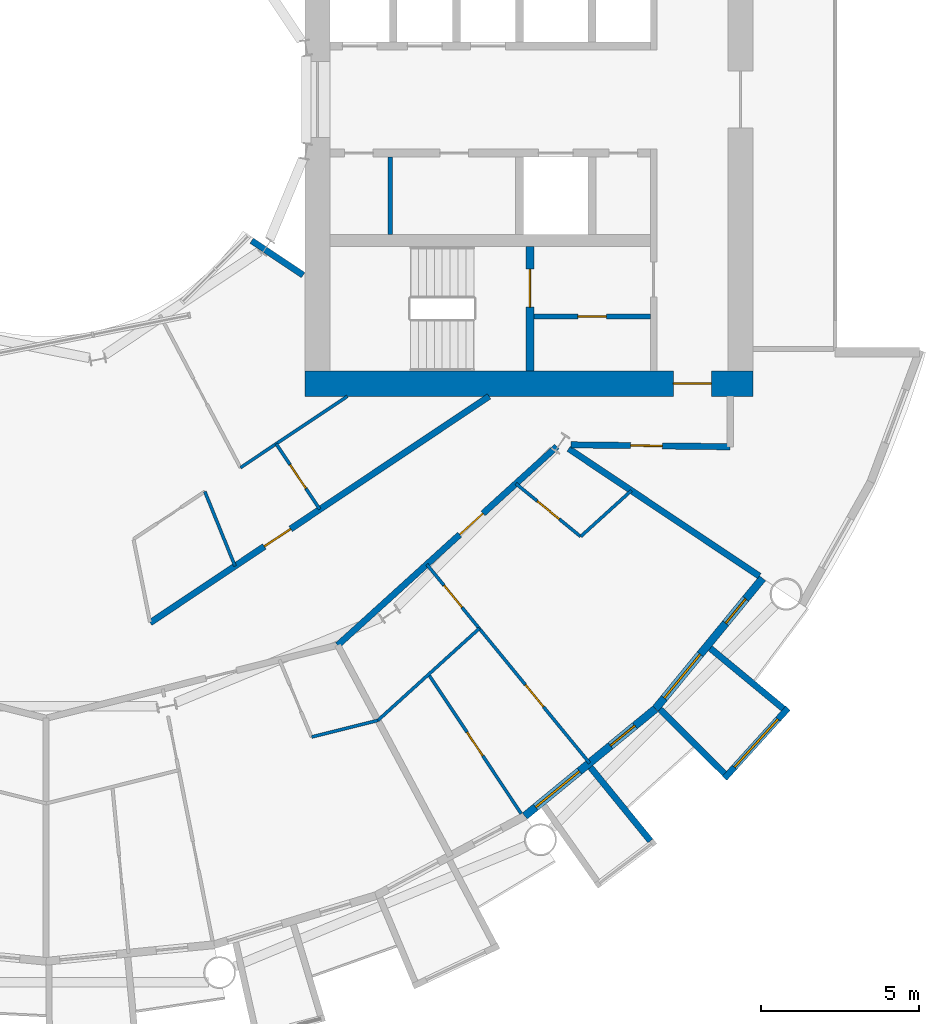
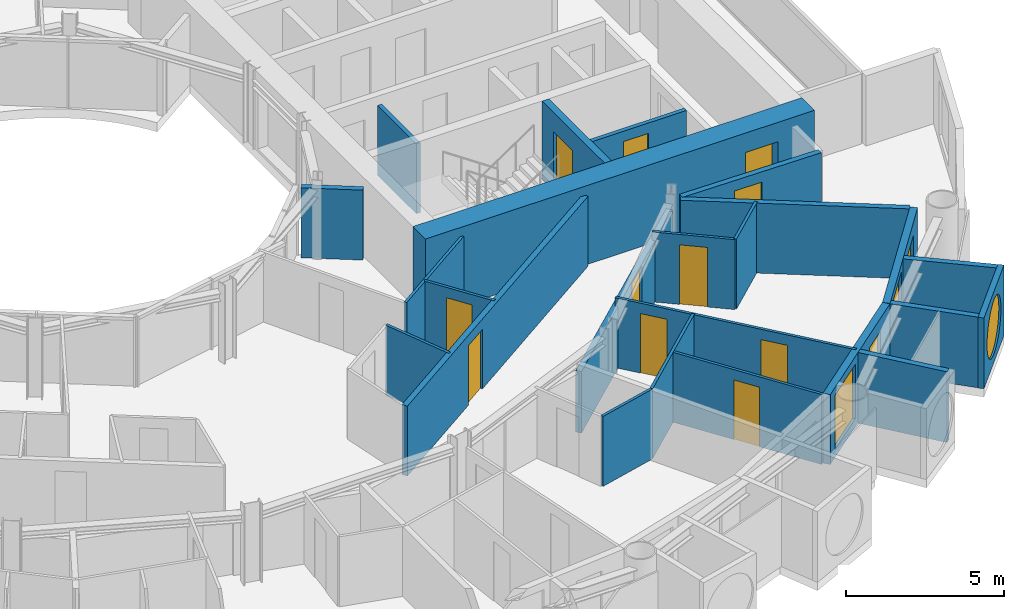
# One storey, part 16 of 26: 24 walls, 13 doors, 3 windows, 16 openings.
"""IFC4 building model written with IfcOpenShell, lengths in metres."""

from ifc_helpers import new_model, si_unit, direction, frame, frame_2d, origin, place, context, subcontext, project, spatial, rectangle, circle, extrude, material, layer, layer_set, type_object, element, fill, save


model = new_model("IFC4")

# Units and contexts
model_context = context("Model", 3, precision=1e-05, world=origin(), true_north=direction((0.0, 1.0)))
body_context = subcontext(model_context, "Body", "Model", "MODEL_VIEW")
ifc_project = project(units=[si_unit("LENGTHUNIT", "METRE"), si_unit("AREAUNIT", "SQUARE_METRE"), si_unit("VOLUMEUNIT", "CUBIC_METRE"), si_unit("PLANEANGLEUNIT", "RADIAN"), si_unit("MASSUNIT", "GRAM", prefix="KILO")], contexts=[model_context])

# Site, building, storey
site_placement = place(None, origin())
site = spatial("IfcSite", under=ifc_project, at=site_placement, CompositionType="ELEMENT")
building_placement = place(site_placement, origin())
building = spatial("IfcBuilding", under=site, at=building_placement, Name="Maasbend Ring Residences", CompositionType="ELEMENT")
storey_placement = place(building_placement, frame((0.0, 0.0, 28.89990234375)))
storey = spatial("IfcBuildingStorey", under=building, at=storey_placement, Name="L07", CompositionType="ELEMENT", Elevation=28.89990234375)

# Wall, opening, door
ifc_material_1 = material(Name="Concrete C70/85", Category="concrete")
ifc_layer_1 = layer(ifc_material_1, 0.25)
ifc_layer_set_1 = layer_set([ifc_layer_1], Name="Concrete C70/85")
wall_type_1 = type_object("IfcWallType", Name="CORE WALL 250 C70/85", PredefinedType="SHEAR", material=ifc_layer_set_1)
wall_1_placement = place(storey_placement, frame((15.324951171875, -8.60009765625, 0.0), z_axis=(0.0, 0.0, 1.0), x_axis=(0.0, 1.0, 0.0)))
wall_1 = element("IfcWall", 1, at=wall_1_placement, inside=storey, type_object=wall_type_1, Name="L07 core E wall STES", PredefinedType="SHEAR", context=body_context, shape_type="SweptSolid", body=[
    extrude(rectangle(XDim=3.9501953125, YDim=0.25, at=frame_2d((1.97509765625, 0.0))), origin(), (0.0, 0.0, 1.0), 3.050048828125),
])
opening_1_placement = place(wall_1_placement, frame((2.02490234375, 0.0, 0.0)))
opening_1 = element("IfcOpeningElement", 2, at=opening_1_placement, cuts=wall_1, Name="Opening D-E0711", PredefinedType="OPENING", context=body_context, shape_type="SweptSolid", body=[
    extrude(rectangle(XDim=1.199951171875, YDim=2.300048828125, at=frame_2d((0.60009765625, 1.14990234375))), frame((0.0, 0.135009765625, 0.0), z_axis=(0.0, -1.0, 0.0), x_axis=(1.0, 0.0, 0.0)), (0.0, 0.0, 1.0), 0.27001953125),
])
ifc_material_2 = material(Name="Steel, powder coated", Category="steel")
door_type_1 = type_object("IfcDoorType", Name="STAIR DOOR 1200 X 2300 FD60", OperationType="NOTDEFINED", PredefinedType="DOOR", material=ifc_material_2)
door_1_placement = place(opening_1_placement, origin())
door_1 = element("IfcDoor", 3, at=door_1_placement, inside=storey, type_object=door_type_1, Name="Stair door ST-E L07", OperationType="SINGLE_SWING_LEFT", OverallHeight=2.300048828125, OverallWidth=1.199951171875, PredefinedType="DOOR", context=body_context, shape_type="SweptSolid", body=[
    extrude(rectangle(XDim=1.199951171875, YDim=2.300048828125, at=frame_2d((0.60009765625, 1.14990234375))), frame((0.0, 0.02490234375, 0.0), z_axis=(0.0, -1.0, 0.0), x_axis=(1.0, 0.0, 0.0)), (0.0, 0.0, 1.0), 0.050048828125),
])
fill(opening_1, door_1)

ifc_material_3 = material(Name="Concrete C70/85", Category="concrete")
ifc_layer_2 = layer(ifc_material_3, 0.800048828125)
ifc_layer_set_2 = layer_set([ifc_layer_2], Name="Concrete C70/85")
wall_type_2 = type_object("IfcWallType", Name="CORE WALL 800 C70/85", PredefinedType="SHEAR", material=ifc_layer_set_2)
wall_2_placement = place(storey_placement, frame((8.199951171875, -9.0, 0.0), z_axis=(0.0, 0.0, 1.0), x_axis=(1.0, 0.0, 0.0)))
wall_2 = element("IfcWall", 4, at=wall_2_placement, inside=storey, type_object=wall_type_2, Name="L07 core E wall PS", PredefinedType="SHEAR", context=body_context, shape_type="SweptSolid", body=[
    extrude(rectangle(XDim=14.199951171875, YDim=0.800048828125, at=frame_2d((7.10009765625, 0.0))), origin(), (0.0, 0.0, 1.0), 3.050048828125),
])
opening_2_placement = place(wall_2_placement, frame((11.675048828125, 0.0, 0.0)))
opening_2 = element("IfcOpeningElement", 5, at=opening_2_placement, cuts=wall_2, Name="Opening D-E0715", PredefinedType="OPENING", context=body_context, shape_type="SweptSolid", body=[
    extrude(rectangle(XDim=1.199951171875, YDim=2.300048828125, at=frame_2d((0.60009765625, 1.14990234375))), frame((0.0, 0.41015625, 0.0), z_axis=(0.0, -1.0, 0.0), x_axis=(1.0, 0.0, 0.0)), (0.0, 0.0, 1.0), 0.820068359375),
])
ifc_material_4 = material(Name="Steel, powder coated", Category="steel")
door_type_2 = type_object("IfcDoorType", Name="CORRIDOR DOOR 1200 X 2300 FD30S", OperationType="NOTDEFINED", PredefinedType="DOOR", material=ifc_material_4)
door_2_placement = place(opening_2_placement, origin())
door_2 = element("IfcDoor", 6, at=door_2_placement, inside=storey, type_object=door_type_2, Name="Corridor door L07", OperationType="SINGLE_SWING_LEFT", OverallHeight=2.300048828125, OverallWidth=1.199951171875, PredefinedType="DOOR", context=body_context, shape_type="SweptSolid", body=[
    extrude(rectangle(XDim=1.199951171875, YDim=2.300048828125, at=frame_2d((0.60009765625, 1.14990234375))), frame((0.0, 0.02490234375, 0.0), z_axis=(0.0, -1.0, 0.0), x_axis=(1.0, 0.0, 0.0)), (0.0, 0.0, 1.0), 0.050048828125),
])
fill(opening_2, door_2)

ifc_material_5 = material(Name="Concrete C30/37", Category="concrete")
ifc_layer_3 = layer(ifc_material_5, 0.199951171875)
ifc_layer_set_3 = layer_set([ifc_layer_3], Name="Concrete C30/37")
wall_type_3 = type_object("IfcWallType", Name="CORRIDOR WALL 200 CONCRETE", PredefinedType="PARTITIONING", material=ifc_layer_set_3)
wall_3_placement = place(storey_placement, frame((9.239013671875, -17.285888671875, 0.0), z_axis=(0.0, 0.0, 1.0), x_axis=(0.74089212117, 0.671624050186, 0.0)))
wall_3 = element("IfcWall", 7, at=wall_3_placement, inside=storey, type_object=wall_type_3, Name="U-L07-w014", PredefinedType="PARTITIONING", context=body_context, shape_type="SweptSolid", body=[
    extrude(rectangle(XDim=9.368408203125, YDim=0.199951171875, at=frame_2d((4.68408203125, 0.0))), origin(), (0.0, 0.0, 1.0), 2.380126953125),
])
opening_3_placement = place(wall_3_placement, frame((5.215087890625, 0.0, 0.0)))
opening_3 = element("IfcOpeningElement", 8, at=opening_3_placement, cuts=wall_3, Name="Opening D-0744", PredefinedType="OPENING", context=body_context, shape_type="SweptSolid", body=[
    extrude(rectangle(XDim=1.0, YDim=2.300048828125, at=frame_2d((0.5, 1.14990234375))), frame((0.0, 0.10986328125, 0.0), z_axis=(0.0, -1.0, 0.0), x_axis=(1.0, 0.0, 0.0)), (0.0, 0.0, 1.0), 0.219970703125),
])
ifc_material_6 = material(Name="Timber, fire-rated, painted", Category="wood")
door_type_3 = type_object("IfcDoorType", Name="FLAT ENTRANCE DOOR 1000 X 2300 FIRE-RATED", OperationType="NOTDEFINED", PredefinedType="DOOR", material=ifc_material_6)
door_3_placement = place(opening_3_placement, origin())
door_3 = element("IfcDoor", 9, at=door_3_placement, inside=storey, type_object=door_type_3, Name="D-0744", OperationType="SINGLE_SWING_RIGHT", OverallHeight=2.300048828125, OverallWidth=1.0, PredefinedType="DOOR", context=body_context, shape_type="SweptSolid", body=[
    extrude(rectangle(XDim=1.0, YDim=2.300048828125, at=frame_2d((0.5, 1.14990234375))), frame((0.0, 0.02490234375, 0.0), z_axis=(0.0, -1.0, 0.0), x_axis=(1.0, 0.0, 0.0)), (0.0, 0.0, 1.0), 0.050048828125),
])
fill(opening_3, door_3)

wall_4_placement = place(storey_placement, frame((3.297119140625, -16.574951171875, 0.0), z_axis=(0.0, 0.0, 1.0), x_axis=(0.831561346449, 0.555432918625, 0.0)))
wall_4 = element("IfcWall", 10, at=wall_4_placement, inside=storey, type_object=wall_type_3, Name="U-L07-w016", PredefinedType="PARTITIONING", context=body_context, shape_type="SweptSolid", body=[
    extrude(rectangle(XDim=12.9140625, YDim=0.199951171875, at=frame_2d((6.45703125, 0.0))), origin(), (0.0, 0.0, 1.0), 2.7001953125),
])
opening_4_placement = place(wall_4_placement, frame((4.35205078125, 0.0, 0.0)))
opening_4 = element("IfcOpeningElement", 11, at=opening_4_placement, cuts=wall_4, Name="Opening D-0753", PredefinedType="OPENING", context=body_context, shape_type="SweptSolid", body=[
    extrude(rectangle(XDim=1.0, YDim=2.300048828125, at=frame_2d((0.5, 1.14990234375))), frame((0.0, 0.10986328125, 0.0), z_axis=(0.0, -1.0, 0.0), x_axis=(1.0, 0.0, 0.0)), (0.0, 0.0, 1.0), 0.219970703125),
])
door_4_placement = place(opening_4_placement, origin())
door_4 = element("IfcDoor", 12, at=door_4_placement, inside=storey, type_object=door_type_3, Name="D-0753", OperationType="SINGLE_SWING_LEFT", OverallHeight=2.300048828125, OverallWidth=1.0, PredefinedType="DOOR", context=body_context, shape_type="SweptSolid", body=[
    extrude(rectangle(XDim=1.0, YDim=2.300048828125, at=frame_2d((0.5, 1.14990234375))), frame((0.0, 0.02490234375, 0.0), z_axis=(0.0, -1.0, 0.0), x_axis=(1.0, 0.0, 0.0)), (0.0, 0.0, 1.0), 0.050048828125),
])
fill(opening_4, door_4)

wall_5_placement = place(storey_placement, frame((16.635986328125, -10.93896484375, 0.0), z_axis=(0.0, 0.0, 1.0), x_axis=(0.999926652916, -0.012111514691, 0.0)))
wall_5 = element("IfcWall", 13, at=wall_5_placement, inside=storey, type_object=wall_type_3, Name="U-L07-w022", PredefinedType="PARTITIONING", context=body_context, shape_type="SweptSolid", body=[
    extrude(rectangle(XDim=5.03955078125, YDim=0.199951171875, at=frame_2d((2.519775390625, 0.0))), origin(), (0.0, 0.0, 1.0), 2.7001953125),
])
opening_5_placement = place(wall_5_placement, frame((1.885986328125, 0.0, 0.0)))
opening_5 = element("IfcOpeningElement", 14, at=opening_5_placement, cuts=wall_5, Name="Opening D-0759", PredefinedType="OPENING", context=body_context, shape_type="SweptSolid", body=[
    extrude(rectangle(XDim=1.0, YDim=2.300048828125, at=frame_2d((0.5, 1.14990234375))), frame((0.0, 0.10986328125, 0.0), z_axis=(0.0, -1.0, 0.0), x_axis=(1.0, 0.0, 0.0)), (0.0, 0.0, 1.0), 0.219970703125),
])
ifc_material_7 = material(Name="Timber, painted", Category="wood")
door_type_4 = type_object("IfcDoorType", Name="ROOM DOOR 1000 X 2300", OperationType="NOTDEFINED", PredefinedType="DOOR", material=ifc_material_7)
door_5_placement = place(opening_5_placement, origin())
door_5 = element("IfcDoor", 15, at=door_5_placement, inside=storey, type_object=door_type_4, Name="D-0759", OperationType="SINGLE_SWING_LEFT", OverallHeight=2.300048828125, OverallWidth=1.0, PredefinedType="DOOR", context=body_context, shape_type="SweptSolid", body=[
    extrude(rectangle(XDim=1.0, YDim=2.300048828125, at=frame_2d((0.5, 1.14990234375))), frame((0.0, 0.02490234375, 0.0), z_axis=(0.0, -1.0, 0.0), x_axis=(1.0, 0.0, 0.0)), (0.0, 0.0, 1.0), 0.050048828125),
])
fill(opening_5, door_5)

# Wall
ifc_material_8 = material(Name="Pale anodised aluminium panel", Category="aluminium")
ifc_layer_4 = layer(ifc_material_8, 0.199951171875)
ifc_layer_set_4 = layer_set([ifc_layer_4], Name="EW-BOX")
wall_type_4 = type_object("IfcWallType", Name="EW-BOX", PredefinedType="SOLIDWALL", material=ifc_layer_set_4)
wall_6_placement = place(storey_placement, frame((17.24609375, -21.155029296875, -0.02978515625), z_axis=(0.0, 0.0, 1.0), x_axis=(0.631741648902, -0.775179004516, 0.0)))
element("IfcWall", 16, at=wall_6_placement, inside=storey, type_object=wall_type_4, Name="Box side wall S17 right", PredefinedType="SOLIDWALL", context=body_context, shape_type="SweptSolid", body=[
    extrude(rectangle(XDim=3.005859375, YDim=0.199951171875, at=frame_2d((1.5029296875, 0.0))), origin(), (0.0, 0.0, 1.0), 2.72998046875),
])

# Wall, opening, window
wall_7_placement = place(storey_placement, frame((21.492919921875, -21.5, -0.02978515625), z_axis=(0.0, 0.0, 1.0), x_axis=(0.671506829416, 0.740998365753, 0.0)))
wall_7 = element("IfcWall", 17, at=wall_7_placement, inside=storey, type_object=wall_type_4, Name="Box front S19", PredefinedType="SOLIDWALL", context=body_context, shape_type="SweptSolid", body=[
    extrude(rectangle(XDim=2.9931640625, YDim=0.199951171875, at=frame_2d((1.49658203125, 0.0))), origin(), (0.0, 0.0, 1.0), 2.72998046875),
])
opening_6_placement = place(wall_7_placement, frame((0.45654296875, 0.0, 0.330078125)))
opening_6 = element("IfcOpeningElement", 18, at=opening_6_placement, cuts=wall_7, Name="Opening W-RD", PredefinedType="OPENING", context=body_context, shape_type="SweptSolid", body=[
    extrude(circle(Radius=1.0400390625, at=frame_2d((1.0400390625, 1.0400390625))), frame((0.0, 0.10986328125, 0.0), z_axis=(0.0, -1.0, 0.0), x_axis=(1.0, 0.0, 0.0)), (0.0, 0.0, 1.0), 0.219970703125),
])
ifc_material_9 = material(Name="Aluminium and clear glass", Category="aluminium")
window_type_1 = type_object("IfcWindowType", Name="W-RD", PartitioningType="SINGLE_PANEL", PredefinedType="WINDOW", material=ifc_material_9)
window_1_placement = place(opening_6_placement, origin())
window_1 = element("IfcWindow", 19, at=window_1_placement, inside=storey, type_object=window_type_1, Name="Round window S19", OverallHeight=2.080078125, OverallWidth=2.080078125, PartitioningType="SINGLE_PANEL", PredefinedType="WINDOW", context=body_context, shape_type="SweptSolid", body=[
    extrude(circle(Radius=1.0400390625, at=frame_2d((1.0400390625, 1.0400390625))), frame((0.0, 0.030029296875, 0.0), z_axis=(0.0, -1.0, 0.0), x_axis=(1.0, 0.0, 0.0)), (0.0, 0.0, 1.0), 0.06005859375),
])
fill(opening_6, window_1)

# Walls
wall_8_placement = place(storey_placement, frame((19.449951171875, -19.322998046875, -0.02978515625), z_axis=(0.0, 0.0, 1.0), x_axis=(0.709727076896, -0.704476739375, 0.0)))
element("IfcWall", 20, at=wall_8_placement, inside=storey, type_object=wall_type_4, Name="Box side wall S19 left", PredefinedType="SOLIDWALL", context=body_context, shape_type="SweptSolid", body=[
    extrude(rectangle(XDim=2.883056640625, YDim=0.199951171875, at=frame_2d((1.44140625, 0.0))), origin(), (0.0, 0.0, 1.0), 2.72998046875),
])
wall_9_placement = place(storey_placement, frame((21.041015625, -17.384033203125, -0.02978515625), z_axis=(0.0, 0.0, 1.0), x_axis=(0.770784861449, -0.63709551667, 0.0)))
element("IfcWall", 21, at=wall_9_placement, inside=storey, type_object=wall_type_4, Name="Box side wall S19 right", PredefinedType="SOLIDWALL", context=body_context, shape_type="SweptSolid", body=[
    extrude(rectangle(XDim=3.005859375, YDim=0.199951171875, at=frame_2d((1.5029296875, 0.0))), origin(), (0.0, 0.0, 1.0), 2.72998046875),
])

# Wall, openings, door, window
ifc_material_10 = material(Name="Aluminium clad insulated panel", Category="aluminium")
ifc_layer_5 = layer(ifc_material_10, 0.25)
ifc_layer_set_5 = layer_set([ifc_layer_5], Name="EW-GL")
wall_type_5 = type_object("IfcWallType", Name="EW-GL", PredefinedType="SOLIDWALL", material=ifc_layer_set_5)
wall_10_placement = place(storey_placement, frame((15.1669921875, -22.698974609375, 0.0), z_axis=(0.0, 0.0, 1.0), x_axis=(0.773019449054, 0.634382322723, 0.0)))
wall_10 = element("IfcWall", 22, at=wall_10_placement, inside=storey, type_object=wall_type_5, Name="External wall S09", PredefinedType="SOLIDWALL", context=body_context, shape_type="SweptSolid", body=[
    extrude(rectangle(XDim=5.351806640625, YDim=0.25, at=frame_2d((2.67578125, 0.0))), origin(), (0.0, 0.0, 1.0), 2.7001953125),
])
opening_7_placement = place(wall_10_placement, frame((0.441162109375, 0.0, 0.300048828125)))
opening_7 = element("IfcOpeningElement", 23, at=opening_7_placement, cuts=wall_10, Name="Opening W-BX", PredefinedType="OPENING", context=body_context, shape_type="SweptSolid", body=[
    extrude(rectangle(XDim=1.800048828125, YDim=2.10009765625, at=frame_2d((0.89990234375, 1.050048828125))), frame((0.0, 0.135009765625, 0.0), z_axis=(0.0, -1.0, 0.0), x_axis=(1.0, 0.0, 0.0)), (0.0, 0.0, 1.0), 0.27001953125),
])
opening_8_placement = place(wall_10_placement, frame((3.510498046875, 0.0, 0.0)))
opening_8 = element("IfcOpeningElement", 24, at=opening_8_placement, cuts=wall_10, Name="Opening D-LG", PredefinedType="OPENING", context=body_context, shape_type="SweptSolid", body=[
    extrude(rectangle(XDim=1.0, YDim=2.199951171875, at=frame_2d((0.5, 1.10009765625))), frame((0.0, 0.135009765625, 0.0), z_axis=(0.0, -1.0, 0.0), x_axis=(1.0, 0.0, 0.0)), (0.0, 0.0, 1.0), 0.27001953125),
])
ifc_material_11 = material(Name="Aluminium and clear glass", Category="aluminium")
door_type_5 = type_object("IfcDoorType", Name="D-LG", OperationType="SINGLE_SWING_LEFT", PredefinedType="DOOR", material=ifc_material_11)
door_6_placement = place(opening_8_placement, origin())
door_6 = element("IfcDoor", 25, at=door_6_placement, inside=storey, type_object=door_type_5, Name="Loggia door S18", OperationType="SINGLE_SWING_LEFT", OverallHeight=2.199951171875, OverallWidth=1.0, PredefinedType="DOOR", context=body_context, shape_type="SweptSolid", body=[
    extrude(rectangle(XDim=1.0, YDim=2.199951171875, at=frame_2d((0.5, 1.10009765625))), frame((0.0, 0.02490234375, 0.0), z_axis=(0.0, -1.0, 0.0), x_axis=(1.0, 0.0, 0.0)), (0.0, 0.0, 1.0), 0.050048828125),
])
fill(opening_8, door_6)
ifc_material_12 = material(Name="Aluminium and clear glass", Category="aluminium")
window_type_2 = type_object("IfcWindowType", Name="W-BX", PartitioningType="DOUBLE_PANEL_VERTICAL", PredefinedType="WINDOW", material=ifc_material_12)
window_2_placement = place(opening_7_placement, origin())
window_2 = element("IfcWindow", 26, at=window_2_placement, inside=storey, type_object=window_type_2, Name="Window S17 room to box", OverallHeight=2.10009765625, OverallWidth=1.800048828125, PartitioningType="SINGLE_PANEL", PredefinedType="WINDOW", context=body_context, shape_type="SweptSolid", body=[
    extrude(rectangle(XDim=1.800048828125, YDim=2.10009765625, at=frame_2d((0.89990234375, 1.050048828125))), frame((0.0, 0.030029296875, 0.0), z_axis=(0.0, -1.0, 0.0), x_axis=(1.0, 0.0, 0.0)), (0.0, 0.0, 1.0), 0.06005859375),
])
fill(opening_7, window_2)

wall_11_placement = place(storey_placement, frame((19.303955078125, -19.303955078125, 0.0), z_axis=(0.0, 0.0, 1.0), x_axis=(0.634382322723, 0.773019449054, 0.0)))
wall_11 = element("IfcWall", 27, at=wall_11_placement, inside=storey, type_object=wall_type_5, Name="External wall S10", PredefinedType="SOLIDWALL", context=body_context, shape_type="SweptSolid", body=[
    extrude(rectangle(XDim=5.351806640625, YDim=0.25, at=frame_2d((2.67578125, 0.0))), origin(), (0.0, 0.0, 1.0), 2.7001953125),
])
opening_9_placement = place(wall_11_placement, frame((0.441162109375, 0.0, 0.300048828125)))
opening_9 = element("IfcOpeningElement", 28, at=opening_9_placement, cuts=wall_11, Name="Opening W-BX", PredefinedType="OPENING", context=body_context, shape_type="SweptSolid", body=[
    extrude(rectangle(XDim=1.800048828125, YDim=2.10009765625, at=frame_2d((0.89990234375, 1.050048828125))), frame((0.0, 0.135009765625, 0.0), z_axis=(0.0, -1.0, 0.0), x_axis=(1.0, 0.0, 0.0)), (0.0, 0.0, 1.0), 0.27001953125),
])
opening_10_placement = place(wall_11_placement, frame((3.510498046875, 0.0, 0.0)))
opening_10 = element("IfcOpeningElement", 29, at=opening_10_placement, cuts=wall_11, Name="Opening D-LG", PredefinedType="OPENING", context=body_context, shape_type="SweptSolid", body=[
    extrude(rectangle(XDim=1.0, YDim=2.199951171875, at=frame_2d((0.5, 1.10009765625))), frame((0.0, 0.135009765625, 0.0), z_axis=(0.0, -1.0, 0.0), x_axis=(1.0, 0.0, 0.0)), (0.0, 0.0, 1.0), 0.27001953125),
])
door_7_placement = place(opening_10_placement, origin())
door_7 = element("IfcDoor", 30, at=door_7_placement, inside=storey, type_object=door_type_5, Name="Loggia door S20", OperationType="SINGLE_SWING_LEFT", OverallHeight=2.199951171875, OverallWidth=1.0, PredefinedType="DOOR", context=body_context, shape_type="SweptSolid", body=[
    extrude(rectangle(XDim=1.0, YDim=2.199951171875, at=frame_2d((0.5, 1.10009765625))), frame((0.0, 0.02490234375, 0.0), z_axis=(0.0, -1.0, 0.0), x_axis=(1.0, 0.0, 0.0)), (0.0, 0.0, 1.0), 0.050048828125),
])
fill(opening_10, door_7)
window_3_placement = place(opening_9_placement, origin())
window_3 = element("IfcWindow", 31, at=window_3_placement, inside=storey, type_object=window_type_2, Name="Window S19 room to box", OverallHeight=2.10009765625, OverallWidth=1.800048828125, PartitioningType="SINGLE_PANEL", PredefinedType="WINDOW", context=body_context, shape_type="SweptSolid", body=[
    extrude(rectangle(XDim=1.800048828125, YDim=2.10009765625, at=frame_2d((0.89990234375, 1.050048828125))), frame((0.0, 0.030029296875, 0.0), z_axis=(0.0, -1.0, 0.0), x_axis=(1.0, 0.0, 0.0)), (0.0, 0.0, 1.0), 0.06005859375),
])
fill(opening_9, window_3)

# Walls
ifc_material_13 = material(Name="Gypsum board on steel studs", Category="steel")
ifc_layer_6 = layer(ifc_material_13, 0.10009765625)
ifc_layer_set_6 = layer_set([ifc_layer_6], Name="PARTITION 100 GYPSUM")
wall_type_6 = type_object("IfcWallType", Name="PARTITION 100 GYPSUM", PredefinedType="PARTITIONING", material=ifc_layer_set_6)
wall_12_placement = place(storey_placement, frame((8.4140625, -20.193115234375, 0.0), z_axis=(0.0, 0.0, 1.0), x_axis=(0.970076188308, 0.242800718444, 0.0)))
element("IfcWall", 32, at=wall_12_placement, inside=storey, type_object=wall_type_6, Name="U-L07-w008", PredefinedType="PARTITIONING", context=body_context, shape_type="SweptSolid", body=[
    extrude(rectangle(XDim=2.1669921875, YDim=0.10009765625, at=frame_2d((1.08349609375, 0.0))), origin(), (0.0, 0.0, 1.0), 2.7001953125),
])
wall_13_placement = place(storey_placement, frame((10.512939453125, -19.66796875, 0.0), z_axis=(0.0, 0.0, 1.0), x_axis=(0.74092137325, 0.671591779775, 0.0)))
element("IfcWall", 33, at=wall_13_placement, inside=storey, type_object=wall_type_6, Name="U-L07-w009", PredefinedType="PARTITIONING", context=body_context, shape_type="SweptSolid", body=[
    extrude(rectangle(XDim=4.342041015625, YDim=0.10009765625, at=frame_2d((2.1708984375, 0.0))), origin(), (0.0, 0.0, 1.0), 2.7001953125),
])
wall_14_placement = place(storey_placement, frame((16.93603515625, -13.844970703125, 0.0), z_axis=(0.0, 0.0, 1.0), x_axis=(0.740836325503, 0.671685595212, 0.0)))
element("IfcWall", 34, at=wall_14_placement, inside=storey, type_object=wall_type_6, Name="U-L07-w010", PredefinedType="PARTITIONING", context=body_context, shape_type="SweptSolid", body=[
    extrude(rectangle(XDim=2.167724609375, YDim=0.10009765625, at=frame_2d((1.083984375, 0.0))), origin(), (0.0, 0.0, 1.0), 2.7001953125),
])
wall_15_placement = place(storey_placement, frame((6.157958984375, -11.6640625, 0.0), z_axis=(0.0, 0.0, 1.0), x_axis=(0.831459707426, 0.555585056429, 0.0)))
element("IfcWall", 35, at=wall_15_placement, inside=storey, type_object=wall_type_6, Name="U-L07-w020", PredefinedType="PARTITIONING", context=body_context, shape_type="SweptSolid", body=[
    extrude(rectangle(XDim=4.073486328125, YDim=0.10009765625, at=frame_2d((2.03662109375, 0.0))), origin(), (0.0, 0.0, 1.0), 2.7001953125),
])
wall_16_placement = place(storey_placement, frame((5.029052734375, -12.41796875, 0.0), z_axis=(0.0, 0.0, 1.0), x_axis=(0.375649498413, -0.926761811008, 0.0)))
element("IfcWall", 36, at=wall_16_placement, inside=storey, type_object=wall_type_6, Name="U-L07-w057", PredefinedType="PARTITIONING", context=body_context, shape_type="SweptSolid", body=[
    extrude(rectangle(XDim=2.547607421875, YDim=0.10009765625, at=frame_2d((1.27392578125, 0.0))), origin(), (0.0, 0.0, 1.0), 2.7001953125),
])

# Wall, opening, door
wall_17_placement = place(storey_placement, frame((7.2890625, -10.907958984375, 0.0), z_axis=(0.0, 0.0, 1.0), x_axis=(0.555355163998, -0.831613276602, 0.0)))
wall_17 = element("IfcWall", 37, at=wall_17_placement, inside=storey, type_object=wall_type_6, Name="U-L07-w060", PredefinedType="PARTITIONING", context=body_context, shape_type="SweptSolid", body=[
    extrude(rectangle(XDim=2.493896484375, YDim=0.10009765625, at=frame_2d((1.2470703125, 0.0))), origin(), (0.0, 0.0, 1.0), 2.7001953125),
])
opening_11_placement = place(wall_17_placement, frame((0.797119140625, 0.0, 0.0)))
opening_11 = element("IfcOpeningElement", 38, at=opening_11_placement, cuts=wall_17, Name="Opening D-0755", PredefinedType="OPENING", context=body_context, shape_type="SweptSolid", body=[
    extrude(rectangle(XDim=0.89990234375, YDim=2.300048828125, at=frame_2d((0.449951171875, 1.14990234375))), frame((0.0, 0.06005859375, 0.0), z_axis=(0.0, -1.0, 0.0), x_axis=(1.0, 0.0, 0.0)), (0.0, 0.0, 1.0), 0.1201171875),
])
ifc_material_14 = material(Name="Timber, painted", Category="wood")
door_type_6 = type_object("IfcDoorType", Name="INTERNAL DOOR 900 X 2300", OperationType="NOTDEFINED", PredefinedType="DOOR", material=ifc_material_14)
door_8_placement = place(opening_11_placement, origin())
door_8 = element("IfcDoor", 39, at=door_8_placement, inside=storey, type_object=door_type_6, Name="D-0755", OperationType="SINGLE_SWING_RIGHT", OverallHeight=2.300048828125, OverallWidth=0.89990234375, PredefinedType="DOOR", context=body_context, shape_type="SweptSolid", body=[
    extrude(rectangle(XDim=0.89990234375, YDim=2.300048828125, at=frame_2d((0.449951171875, 1.14990234375))), frame((0.0, 0.02490234375, 0.0), z_axis=(0.0, -1.0, 0.0), x_axis=(1.0, 0.0, 0.0)), (0.0, 0.0, 1.0), 0.050048828125),
])
fill(opening_11, door_8)

# Wall, openings, doors
wall_18_placement = place(storey_placement, frame((12.06201171875, -14.72705078125, 0.0), z_axis=(0.0, 0.0, 1.0), x_axis=(0.633664062855, -0.773608334654, 0.0)))
wall_18 = element("IfcWall", 40, at=wall_18_placement, inside=storey, type_object=wall_type_6, Name="U-L07-w067", PredefinedType="PARTITIONING", context=body_context, shape_type="SweptSolid", body=[
    extrude(rectangle(XDim=8.138427734375, YDim=0.10009765625, at=frame_2d((4.0693359375, 0.0))), origin(), (0.0, 0.0, 1.0), 2.7001953125),
])
opening_12_placement = place(wall_18_placement, frame((0.861083984375, 0.0, 0.0)))
opening_12 = element("IfcOpeningElement", 41, at=opening_12_placement, cuts=wall_18, Name="Opening D-0746", PredefinedType="OPENING", context=body_context, shape_type="SweptSolid", body=[
    extrude(rectangle(XDim=0.89990234375, YDim=2.300048828125, at=frame_2d((0.449951171875, 1.14990234375))), frame((0.0, 0.06005859375, 0.0), z_axis=(0.0, -1.0, 0.0), x_axis=(1.0, 0.0, 0.0)), (0.0, 0.0, 1.0), 0.1201171875),
])
opening_13_placement = place(wall_18_placement, frame((4.930908203125, 0.0, 0.0)))
opening_13 = element("IfcOpeningElement", 42, at=opening_13_placement, cuts=wall_18, Name="Opening D-0747", PredefinedType="OPENING", context=body_context, shape_type="SweptSolid", body=[
    extrude(rectangle(XDim=0.89990234375, YDim=2.300048828125, at=frame_2d((0.449951171875, 1.14990234375))), frame((0.0, 0.06005859375, 0.0), z_axis=(0.0, -1.0, 0.0), x_axis=(1.0, 0.0, 0.0)), (0.0, 0.0, 1.0), 0.1201171875),
])
door_9_placement = place(opening_12_placement, origin())
door_9 = element("IfcDoor", 43, at=door_9_placement, inside=storey, type_object=door_type_6, Name="D-0746", OperationType="SINGLE_SWING_LEFT", OverallHeight=2.300048828125, OverallWidth=0.89990234375, PredefinedType="DOOR", context=body_context, shape_type="SweptSolid", body=[
    extrude(rectangle(XDim=0.89990234375, YDim=2.300048828125, at=frame_2d((0.449951171875, 1.14990234375))), frame((0.0, 0.02490234375, 0.0), z_axis=(0.0, -1.0, 0.0), x_axis=(1.0, 0.0, 0.0)), (0.0, 0.0, 1.0), 0.050048828125),
])
fill(opening_12, door_9)
door_10_placement = place(opening_13_placement, origin())
door_10 = element("IfcDoor", 44, at=door_10_placement, inside=storey, type_object=door_type_6, Name="D-0747", OperationType="SINGLE_SWING_RIGHT", OverallHeight=2.300048828125, OverallWidth=0.89990234375, PredefinedType="DOOR", context=body_context, shape_type="SweptSolid", body=[
    extrude(rectangle(XDim=0.89990234375, YDim=2.300048828125, at=frame_2d((0.449951171875, 1.14990234375))), frame((0.0, 0.02490234375, 0.0), z_axis=(0.0, -1.0, 0.0), x_axis=(1.0, 0.0, 0.0)), (0.0, 0.0, 1.0), 0.050048828125),
])
fill(opening_13, door_10)

# Wall, opening, door
wall_19_placement = place(storey_placement, frame((12.117919921875, -18.2109375, 0.0), z_axis=(0.0, 0.0, 1.0), x_axis=(0.553913391217, -0.832574294, 0.0)))
wall_19 = element("IfcWall", 45, at=wall_19_placement, inside=storey, type_object=wall_type_6, Name="U-L07-w068", PredefinedType="PARTITIONING", context=body_context, shape_type="SweptSolid", body=[
    extrude(rectangle(XDim=5.300537109375, YDim=0.10009765625, at=frame_2d((2.650390625, 0.0))), origin(), (0.0, 0.0, 1.0), 2.7001953125),
])
opening_14_placement = place(wall_19_placement, frame((2.199951171875, 0.0, 0.0)))
opening_14 = element("IfcOpeningElement", 46, at=opening_14_placement, cuts=wall_19, Name="Opening D-0748", PredefinedType="OPENING", context=body_context, shape_type="SweptSolid", body=[
    extrude(rectangle(XDim=0.89990234375, YDim=2.300048828125, at=frame_2d((0.449951171875, 1.14990234375))), frame((0.0, 0.06005859375, 0.0), z_axis=(0.0, -1.0, 0.0), x_axis=(1.0, 0.0, 0.0)), (0.0, 0.0, 1.0), 0.1201171875),
])
door_11_placement = place(opening_14_placement, origin())
door_11 = element("IfcDoor", 47, at=door_11_placement, inside=storey, type_object=door_type_6, Name="D-0748", OperationType="SINGLE_SWING_RIGHT", OverallHeight=2.300048828125, OverallWidth=0.89990234375, PredefinedType="DOOR", context=body_context, shape_type="SweptSolid", body=[
    extrude(rectangle(XDim=0.89990234375, YDim=2.300048828125, at=frame_2d((0.449951171875, 1.14990234375))), frame((0.0, 0.02490234375, 0.0), z_axis=(0.0, -1.0, 0.0), x_axis=(1.0, 0.0, 0.0)), (0.0, 0.0, 1.0), 0.050048828125),
])
fill(opening_14, door_11)

wall_20_placement = place(storey_placement, frame((14.885009765625, -12.16796875, 0.0), z_axis=(0.0, 0.0, 1.0), x_axis=(0.774162545943, -0.632986850147, 0.0)))
wall_20 = element("IfcWall", 48, at=wall_20_placement, inside=storey, type_object=wall_type_6, Name="U-L07-w071", PredefinedType="PARTITIONING", context=body_context, shape_type="SweptSolid", body=[
    extrude(rectangle(XDim=2.6494140625, YDim=0.10009765625, at=frame_2d((1.32470703125, 0.0))), origin(), (0.0, 0.0, 1.0), 2.7001953125),
])
opening_15_placement = place(wall_20_placement, frame((0.875, 0.0, 0.0)))
opening_15 = element("IfcOpeningElement", 49, at=opening_15_placement, cuts=wall_20, Name="Opening D-0745", PredefinedType="OPENING", context=body_context, shape_type="SweptSolid", body=[
    extrude(rectangle(XDim=0.89990234375, YDim=2.300048828125, at=frame_2d((0.449951171875, 1.14990234375))), frame((0.0, 0.06005859375, 0.0), z_axis=(0.0, -1.0, 0.0), x_axis=(1.0, 0.0, 0.0)), (0.0, 0.0, 1.0), 0.1201171875),
])
door_12_placement = place(opening_15_placement, origin())
door_12 = element("IfcDoor", 50, at=door_12_placement, inside=storey, type_object=door_type_6, Name="D-0745", OperationType="SINGLE_SWING_RIGHT", OverallHeight=2.300048828125, OverallWidth=0.89990234375, PredefinedType="DOOR", context=body_context, shape_type="SweptSolid", body=[
    extrude(rectangle(XDim=0.89990234375, YDim=2.300048828125, at=frame_2d((0.449951171875, 1.14990234375))), frame((0.0, 0.02490234375, 0.0), z_axis=(0.0, -1.0, 0.0), x_axis=(1.0, 0.0, 0.0)), (0.0, 0.0, 1.0), 0.050048828125),
])
fill(opening_15, door_12)

# Wall
ifc_material_15 = material(Name="Gypsum board on steel studs", Category="steel")
ifc_layer_7 = layer(ifc_material_15, 0.14990234375)
ifc_layer_set_7 = layer_set([ifc_layer_7], Name="PARTITION 150 EI 60")
wall_type_7 = type_object("IfcWallType", Name="PARTITION 150 EI 60", PredefinedType="PARTITIONING", material=ifc_layer_set_7)
wall_21_placement = place(storey_placement, frame((10.89990234375, -1.824951171875, 0.0), z_axis=(0.0, 0.0, 1.0), x_axis=(0.0, -1.0, 0.0)))
element("IfcWall", 51, at=wall_21_placement, inside=storey, type_object=wall_type_7, Name="L07 core E wall PRS1090", PredefinedType="PARTITIONING", context=body_context, shape_type="SweptSolid", body=[
    extrude(rectangle(XDim=2.449951171875, YDim=0.14990234375, at=frame_2d((1.22509765625, 0.0))), origin(), (0.0, 0.0, 1.0), 2.7001953125),
])

# Wall, opening, door
wall_22_placement = place(storey_placement, frame((15.449951171875, -6.875, 0.0), z_axis=(0.0, 0.0, 1.0), x_axis=(1.0, 0.0, 0.0)))
wall_22 = element("IfcWall", 52, at=wall_22_placement, inside=storey, type_object=wall_type_7, Name="L07 core E wall RHS", PredefinedType="PARTITIONING", context=body_context, shape_type="SweptSolid", body=[
    extrude(rectangle(XDim=3.699951171875, YDim=0.14990234375, at=frame_2d((1.85009765625, 0.0))), origin(), (0.0, 0.0, 1.0), 2.7001953125),
])
opening_16_placement = place(wall_22_placement, frame((1.39990234375, 0.0, 0.0)))
opening_16 = element("IfcOpeningElement", 53, at=opening_16_placement, cuts=wall_22, Name="Opening D-E0709", PredefinedType="OPENING", context=body_context, shape_type="SweptSolid", body=[
    extrude(rectangle(XDim=0.89990234375, YDim=2.300048828125, at=frame_2d((0.449951171875, 1.14990234375))), frame((0.0, 0.0849609375, 0.0), z_axis=(0.0, -1.0, 0.0), x_axis=(1.0, 0.0, 0.0)), (0.0, 0.0, 1.0), 0.169921875),
])
ifc_material_16 = material(Name="Steel, powder coated", Category="steel")
door_type_7 = type_object("IfcDoorType", Name="RISER DOOR 900 X 2300 FD60", OperationType="NOTDEFINED", PredefinedType="DOOR", material=ifc_material_16)
door_13_placement = place(opening_16_placement, origin())
door_13 = element("IfcDoor", 54, at=door_13_placement, inside=storey, type_object=door_type_7, Name="Riser door L07", OperationType="SINGLE_SWING_LEFT", OverallHeight=2.300048828125, OverallWidth=0.89990234375, PredefinedType="DOOR", context=body_context, shape_type="SweptSolid", body=[
    extrude(rectangle(XDim=0.89990234375, YDim=2.300048828125, at=frame_2d((0.449951171875, 1.14990234375))), frame((0.0, 0.02490234375, 0.0), z_axis=(0.0, -1.0, 0.0), x_axis=(1.0, 0.0, 0.0)), (0.0, 0.0, 1.0), 0.050048828125),
])
fill(opening_16, door_13)

# Walls
ifc_material_17 = material(Name="Concrete C30/37", Category="concrete")
ifc_layer_8 = layer(ifc_material_17, 0.199951171875)
ifc_layer_set_8 = layer_set([ifc_layer_8], Name="Concrete C30/37")
wall_type_8 = type_object("IfcWallType", Name="PARTY WALL 200 CONCRETE", PredefinedType="PARTITIONING", material=ifc_layer_set_8)
wall_23_placement = place(storey_placement, frame((6.512939453125, -4.471923828125, 0.0), z_axis=(0.0, 0.0, 1.0), x_axis=(0.831417956244, -0.555647533996, 0.0)))
element("IfcWall", 55, at=wall_23_placement, inside=storey, type_object=wall_type_8, Name="U-L07-w024", PredefinedType="PARTITIONING", context=body_context, shape_type="SweptSolid", body=[
    extrude(rectangle(XDim=1.9619140625, YDim=0.199951171875, at=frame_2d((0.98095703125, 0.0))), origin(), (0.0, 0.0, 1.0), 2.7001953125),
])
wall_24_placement = place(storey_placement, frame((16.554931640625, -11.06103515625, 0.0), z_axis=(0.0, 0.0, 1.0), x_axis=(0.831507055747, -0.555514190857, 0.0)))
element("IfcWall", 56, at=wall_24_placement, inside=storey, type_object=wall_type_8, Name="U-L07-w072", PredefinedType="PARTITIONING", context=body_context, shape_type="SweptSolid", body=[
    extrude(rectangle(XDim=7.26513671875, YDim=0.199951171875, at=frame_2d((3.632568359375, 0.0))), origin(), (0.0, 0.0, 1.0), 2.7001953125),
])

save(model, "model.ifc")
